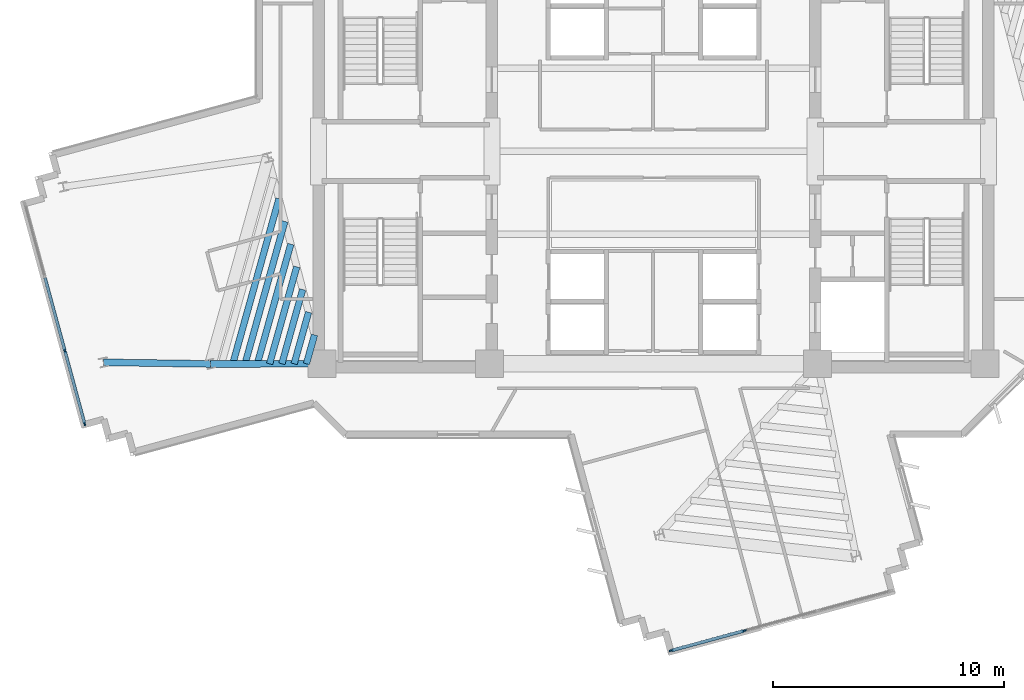
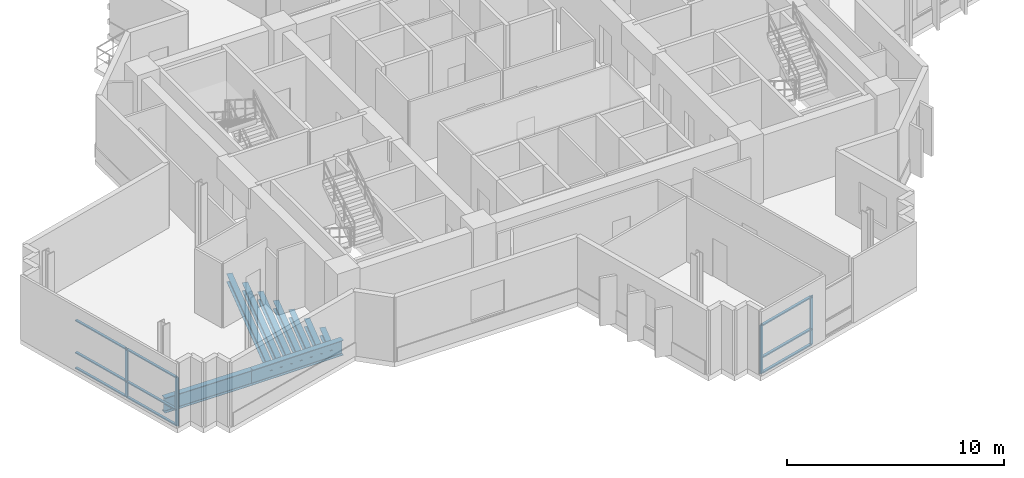
# One storey, part 2 of 15: 13 members, 9 beams, 2 elements without a shape of their own.
"""IFC4 building model written with IfcOpenShell, lengths in metres."""

from ifc_helpers import new_model, si_unit, direction, frame, origin, origin_2d, place, context, subcontext, project, spatial, rectangle, i_section, extrude, source, transform, mapped, material, layer, layer_set, material_profile, profile_set, type_object, element, aggregate, save


model = new_model("IFC4")

# Units and contexts
model_context = context("Model", 3, precision=1e-05, world=origin(), true_north=direction((0.0, 1.0)))
body_context = subcontext(model_context, "Body", "Model", "MODEL_VIEW")
ifc_project = project(units=[si_unit("LENGTHUNIT", "METRE"), si_unit("AREAUNIT", "SQUARE_METRE"), si_unit("VOLUMEUNIT", "CUBIC_METRE"), si_unit("PLANEANGLEUNIT", "RADIAN"), si_unit("MASSUNIT", "GRAM", prefix="KILO")], contexts=[model_context])

# Site, building, storey
site_placement = place(None, origin())
site = spatial("IfcSite", under=ifc_project, at=site_placement, CompositionType="ELEMENT")
building_placement = place(site_placement, origin())
building = spatial("IfcBuilding", under=site, at=building_placement, Name="Zahravan Cultural Tower", CompositionType="ELEMENT")
storey_placement = place(building_placement, frame((0.0, 0.0, 194.10009765625)))
storey = spatial("IfcBuildingStorey", under=building, at=storey_placement, Name="L45", CompositionType="ELEMENT", Elevation=194.10009765625)

# Beams
ifc_material_1 = material(Name="Steel ASTM A992 Grade 50", Category="steel")
ifc_material_profile_1 = material_profile(ifc_material_1, i_section(OverallWidth=0.29296875, OverallDepth=0.845947265625, WebThickness=0.015380859375, FlangeThickness=0.0244140625, FilletRadius=0.02001953125, at=origin_2d()), Name="W33X141")
ifc_profile_set_1 = profile_set([ifc_material_profile_1], Name="Steel ASTM A992 Grade 50")
beam_type_1 = type_object("IfcBeamType", Name="BM-G-W33X141", PredefinedType="BEAM", material=ifc_profile_set_1)
shared_shape_1 = source(origin(), body_context, "Body", "SweptSolid", [
    extrude(i_section(OverallWidth=0.29296875, OverallDepth=0.845947265625, WebThickness=0.015380859375, FlangeThickness=0.0244140625, FilletRadius=0.02001953125, at=origin_2d()), origin(), (0.0, 0.0, 1.0), 4.834716796875),
])
beam_1_placement = place(storey_placement, frame((21.64990234375, 17.800048828125, -0.703125), z_axis=(-0.99999920313, -0.001262433979, 0.0), x_axis=(0.001262433979, -0.99999920313, 0.0)))
element("IfcBeam", 1, at=beam_1_placement, inside=storey, type_object=beam_type_1, Name="L45 Beam BG-L45-08", PredefinedType="BEAM", context=body_context, shape_type="MappedRepresentation", body=[
    mapped(shared_shape_1, transform((0.0, 0.0, 0.0), x_axis=(1.0, 0.0, 0.0), y_axis=(0.0, 1.0, 0.0), z_axis=(0.0, 0.0, 1.0), scale=1.0)),
])
shared_shape_2 = source(origin(), body_context, "Body", "SweptSolid", [
    extrude(i_section(OverallWidth=0.29296875, OverallDepth=0.845947265625, WebThickness=0.015380859375, FlangeThickness=0.0244140625, FilletRadius=0.02001953125, at=origin_2d()), origin(), (0.0, 0.0, 1.0), 4.622314453125),
])
beam_2_placement = place(storey_placement, frame((16.815185546875, 17.7939453125, -0.703125), z_axis=(-0.999889070044, 0.014894549562, 0.0), x_axis=(-0.014894549562, -0.999889070044, 0.0)))
element("IfcBeam", 2, at=beam_2_placement, inside=storey, type_object=beam_type_1, Name="L45 Beam BG-L45-18", PredefinedType="BEAM", context=body_context, shape_type="MappedRepresentation", body=[
    mapped(shared_shape_2, transform((0.0, 0.0, 0.0), x_axis=(1.0, 0.0, 0.0), y_axis=(0.0, 1.0, 0.0), z_axis=(0.0, 0.0, 1.0), scale=1.0)),
])
ifc_material_profile_2 = material_profile(ifc_material_1, i_section(OverallWidth=0.280029296875, OverallDepth=0.462890625, WebThickness=0.0107421875, FlangeThickness=0.017333984375, FilletRadius=0.012939453125, at=origin_2d()), Name="W18X76")
ifc_profile_set_2 = profile_set([ifc_material_profile_2], Name="Steel ASTM A992 Grade 50")
beam_type_2 = type_object("IfcBeamType", Name="BM-J-W18X76", PredefinedType="JOIST", material=ifc_profile_set_2)
shared_shape_3 = source(origin(), body_context, "Body", "SweptSolid", [
    extrude(i_section(OverallWidth=0.280029296875, OverallDepth=0.462890625, WebThickness=0.0107421875, FlangeThickness=0.017333984375, FilletRadius=0.012939453125, at=origin_2d()), origin(), (0.0, 0.0, 1.0), 1.299072265625),
])
beam_3_placement = place(storey_placement, frame((21.3232421875, 19.050048828125, -0.51171875), z_axis=(-0.269504444708, -0.962999145525, 0.0), x_axis=(0.962999145525, -0.269504444708, 0.0)))
element("IfcBeam", 3, at=beam_3_placement, inside=storey, type_object=beam_type_2, Name="L45 Beam BJ-L45-26", PredefinedType="JOIST", context=body_context, shape_type="MappedRepresentation", body=[
    mapped(shared_shape_3, transform((0.0, 0.0, 0.0), x_axis=(1.0, 0.0, 0.0), y_axis=(0.0, 1.0, 0.0), z_axis=(0.0, 0.0, 1.0), scale=1.0)),
])
shared_shape_4 = source(origin(), body_context, "Body", "SweptSolid", [
    extrude(i_section(OverallWidth=0.280029296875, OverallDepth=0.462890625, WebThickness=0.0107421875, FlangeThickness=0.017333984375, FilletRadius=0.012939453125, at=origin_2d()), origin(), (0.0, 0.0, 1.0), 2.3193359375),
])
beam_4_placement = place(storey_placement, frame((21.06640625, 20.0322265625, -0.51171875), z_axis=(-0.269462038626, -0.963011012263, 0.0), x_axis=(0.963011012263, -0.269462038626, 0.0)))
element("IfcBeam", 4, at=beam_4_placement, inside=storey, type_object=beam_type_2, Name="L45 Beam BJ-L45-27", PredefinedType="JOIST", context=body_context, shape_type="MappedRepresentation", body=[
    mapped(shared_shape_4, transform((0.0, 0.0, 0.0), x_axis=(1.0, 0.0, 0.0), y_axis=(0.0, 1.0, 0.0), z_axis=(0.0, 0.0, 1.0), scale=1.0)),
])
shared_shape_5 = source(origin(), body_context, "Body", "SweptSolid", [
    extrude(i_section(OverallWidth=0.280029296875, OverallDepth=0.462890625, WebThickness=0.0107421875, FlangeThickness=0.017333984375, FilletRadius=0.012939453125, at=origin_2d()), origin(), (0.0, 0.0, 1.0), 3.340087890625),
])
beam_5_placement = place(storey_placement, frame((20.809814453125, 21.014404296875, -0.51171875), z_axis=(-0.269562146951, -0.962982995141, 0.0), x_axis=(0.962982995141, -0.269562146951, 0.0)))
element("IfcBeam", 5, at=beam_5_placement, inside=storey, type_object=beam_type_2, Name="L45 Beam BJ-L45-28", PredefinedType="JOIST", context=body_context, shape_type="MappedRepresentation", body=[
    mapped(shared_shape_5, transform((0.0, 0.0, 0.0), x_axis=(1.0, 0.0, 0.0), y_axis=(0.0, 1.0, 0.0), z_axis=(0.0, 0.0, 1.0), scale=1.0)),
])
shared_shape_6 = source(origin(), body_context, "Body", "SweptSolid", [
    extrude(i_section(OverallWidth=0.280029296875, OverallDepth=0.462890625, WebThickness=0.0107421875, FlangeThickness=0.017333984375, FilletRadius=0.012939453125, at=origin_2d()), origin(), (0.0, 0.0, 1.0), 4.36083984375),
])
beam_6_placement = place(storey_placement, frame((20.552978515625, 21.99658203125, -0.51171875), z_axis=(-0.269511557673, -0.962997154866, 0.0), x_axis=(0.962997154866, -0.269511557673, 0.0)))
element("IfcBeam", 6, at=beam_6_placement, inside=storey, type_object=beam_type_2, Name="L45 Beam BJ-L45-29", PredefinedType="JOIST", context=body_context, shape_type="MappedRepresentation", body=[
    mapped(shared_shape_6, transform((0.0, 0.0, 0.0), x_axis=(1.0, 0.0, 0.0), y_axis=(0.0, 1.0, 0.0), z_axis=(0.0, 0.0, 1.0), scale=1.0)),
])
shared_shape_7 = source(origin(), body_context, "Body", "SweptSolid", [
    extrude(i_section(OverallWidth=0.280029296875, OverallDepth=0.462890625, WebThickness=0.0107421875, FlangeThickness=0.017333984375, FilletRadius=0.012939453125, at=origin_2d()), origin(), (0.0, 0.0, 1.0), 5.3818359375),
])
beam_7_placement = place(storey_placement, frame((20.296142578125, 22.97900390625, -0.51171875), z_axis=(-0.269510454638, -0.962997463569, 0.0), x_axis=(0.962997463569, -0.269510454638, 0.0)))
element("IfcBeam", 7, at=beam_7_placement, inside=storey, type_object=beam_type_2, Name="L45 Beam BJ-L45-30", PredefinedType="JOIST", context=body_context, shape_type="MappedRepresentation", body=[
    mapped(shared_shape_7, transform((0.0, 0.0, 0.0), x_axis=(1.0, 0.0, 0.0), y_axis=(0.0, 1.0, 0.0), z_axis=(0.0, 0.0, 1.0), scale=1.0)),
])
shared_shape_8 = source(origin(), body_context, "Body", "SweptSolid", [
    extrude(i_section(OverallWidth=0.280029296875, OverallDepth=0.462890625, WebThickness=0.0107421875, FlangeThickness=0.017333984375, FilletRadius=0.012939453125, at=origin_2d()), origin(), (0.0, 0.0, 1.0), 6.402099609375),
])
beam_8_placement = place(storey_placement, frame((20.039306640625, 23.961181640625, -0.51171875), z_axis=(-0.269494133533, -0.963002031146, 0.0), x_axis=(0.963002031146, -0.269494133533, 0.0)))
element("IfcBeam", 8, at=beam_8_placement, inside=storey, type_object=beam_type_2, Name="L45 Beam BJ-L45-31", PredefinedType="JOIST", context=body_context, shape_type="MappedRepresentation", body=[
    mapped(shared_shape_8, transform((0.0, 0.0, 0.0), x_axis=(1.0, 0.0, 0.0), y_axis=(0.0, 1.0, 0.0), z_axis=(0.0, 0.0, 1.0), scale=1.0)),
])
shared_shape_9 = source(origin(), body_context, "Body", "SweptSolid", [
    extrude(i_section(OverallWidth=0.280029296875, OverallDepth=0.462890625, WebThickness=0.0107421875, FlangeThickness=0.017333984375, FilletRadius=0.012939453125, at=origin_2d()), origin(), (0.0, 0.0, 1.0), 7.4228515625),
])
beam_9_placement = place(storey_placement, frame((19.78271484375, 24.943359375, -0.51171875), z_axis=(-0.269504266128, -0.962999195503, 0.0), x_axis=(0.962999195503, -0.269504266128, 0.0)))
element("IfcBeam", 9, at=beam_9_placement, inside=storey, type_object=beam_type_2, Name="L45 Beam BJ-L45-32", PredefinedType="JOIST", context=body_context, shape_type="MappedRepresentation", body=[
    mapped(shared_shape_9, transform((0.0, 0.0, 0.0), x_axis=(1.0, 0.0, 0.0), y_axis=(0.0, 1.0, 0.0), z_axis=(0.0, 0.0, 1.0), scale=1.0)),
])

# Curtain wall, members
ifc_material_2 = material(Name="Anodised bronze-aluminium mullion", Category="aluminium")
ifc_layer_1 = layer(ifc_material_2, 0.179931640625)
ifc_layer_set_1 = layer_set([ifc_layer_1], Name="Anodised bronze-aluminium mullion")
curtain_wall_type_1 = type_object("IfcCurtainWallType", Name="CW-SYS-3", PredefinedType="USERDEFINED", material=ifc_layer_set_1)
curtain_wall_1_placement = place(storey_placement, origin())
curtain_wall_1 = element("IfcCurtainWall", 10, at=curtain_wall_1_placement, inside=storey, type_object=curtain_wall_type_1, Name="L45 Recessed Curtain Wall CW-3.1", ObjectType="RECESSED GLAZING", PredefinedType="USERDEFINED")
ifc_material_profile_3 = material_profile(ifc_material_2, rectangle(XDim=0.070068359375, YDim=0.179931640625, at=origin_2d()), Name="AL-M70X180")
ifc_profile_set_3 = profile_set([ifc_material_profile_3], Name="Anodised bronze-aluminium mullion")
member_type_1 = type_object("IfcMemberType", Name="CWM-CW-3", PredefinedType="MULLION", material=ifc_profile_set_3)
shared_shape_10 = source(origin(), body_context, "Body", "SweptSolid", [
    extrude(rectangle(XDim=0.070068359375, YDim=0.179931640625, at=origin_2d()), origin(), (0.0, 0.0, 1.0), 2.739990234375),
])
member_1_placement = place(storey_placement, frame((39.92626953125, 6.2431640625, 0.0), z_axis=(0.0, 0.0, 1.0), x_axis=(0.262186687636, -0.96501717126, 0.0)))
member_1 = element("IfcMember", 11, at=member_1_placement, type_object=member_type_1, Name="CW-3 mullion 3", PredefinedType="MULLION", context=body_context, shape_type="MappedRepresentation", body=[
    mapped(shared_shape_10, transform((0.0, 0.0, 0.0), x_axis=(1.0, 0.0, 0.0), y_axis=(0.0, 1.0, 0.0), z_axis=(0.0, 0.0, 1.0), scale=1.0)),
])
member_2_placement = place(storey_placement, frame((36.76904296875, 5.385498046875, 0.0), z_axis=(0.0, 0.0, 1.0), x_axis=(0.262186687636, -0.96501717126, 0.0)))
member_2 = element("IfcMember", 12, at=member_2_placement, type_object=member_type_1, Name="CW-3 mullion 4", PredefinedType="MULLION", context=body_context, shape_type="MappedRepresentation", body=[
    mapped(shared_shape_10, transform((0.0, 0.0, 0.0), x_axis=(1.0, 0.0, 0.0), y_axis=(0.0, 1.0, 0.0), z_axis=(0.0, 0.0, 1.0), scale=1.0)),
])
ifc_material_profile_4 = material_profile(ifc_material_2, rectangle(XDim=0.139892578125, YDim=0.070068359375, at=origin_2d()), Name="AL-T70X140")
ifc_profile_set_4 = profile_set([ifc_material_profile_4], Name="Anodised bronze-aluminium mullion")
member_type_2 = type_object("IfcMemberType", Name="CWT-CW-3", PredefinedType="USERDEFINED", material=ifc_profile_set_4)
shared_shape_11 = source(origin(), body_context, "Body", "SweptSolid", [
    extrude(rectangle(XDim=0.139892578125, YDim=0.070068359375, at=origin_2d()), origin(), (0.0, 0.0, 1.0), 3.20166015625),
])
member_3_placement = place(storey_placement, frame((39.892333984375, 6.234130859375, 0.034912109375), z_axis=(-0.965002744482, -0.262239781768, 0.0), x_axis=(0.262239781768, -0.965002744482, 0.0)))
member_3 = element("IfcMember", 13, at=member_3_placement, type_object=member_type_2, Name="CW-3 transom 3.1", ObjectType="TRANSOM", PredefinedType="USERDEFINED", context=body_context, shape_type="MappedRepresentation", body=[
    mapped(shared_shape_11, transform((0.0, 0.0, 0.0), x_axis=(1.0, 0.0, 0.0), y_axis=(0.0, 1.0, 0.0), z_axis=(0.0, 0.0, 1.0), scale=1.0)),
])
member_4_placement = place(storey_placement, frame((39.892333984375, 6.234130859375, 0.89990234375), z_axis=(-0.965002744482, -0.262239781768, 0.0), x_axis=(0.262239781768, -0.965002744482, 0.0)))
member_4 = element("IfcMember", 14, at=member_4_placement, type_object=member_type_2, Name="CW-3 transom 3.2", ObjectType="TRANSOM", PredefinedType="USERDEFINED", context=body_context, shape_type="MappedRepresentation", body=[
    mapped(shared_shape_11, transform((0.0, 0.0, 0.0), x_axis=(1.0, 0.0, 0.0), y_axis=(0.0, 1.0, 0.0), z_axis=(0.0, 0.0, 1.0), scale=1.0)),
])
member_5_placement = place(storey_placement, frame((39.892333984375, 6.234130859375, 2.704833984375), z_axis=(-0.965002744482, -0.262239781768, 0.0), x_axis=(0.262239781768, -0.965002744482, 0.0)))
member_5 = element("IfcMember", 15, at=member_5_placement, type_object=member_type_2, Name="CW-3 transom 3.3", ObjectType="TRANSOM", PredefinedType="USERDEFINED", context=body_context, shape_type="MappedRepresentation", body=[
    mapped(shared_shape_11, transform((0.0, 0.0, 0.0), x_axis=(1.0, 0.0, 0.0), y_axis=(0.0, 1.0, 0.0), z_axis=(0.0, 0.0, 1.0), scale=1.0)),
])
aggregate(curtain_wall_1, [member_1, member_2, member_3, member_4, member_5])

ifc_layer_2 = layer(ifc_material_2, 0.1650390625)
ifc_layer_set_2 = layer_set([ifc_layer_2], Name="Anodised bronze-aluminium mullion")
curtain_wall_type_2 = type_object("IfcCurtainWallType", Name="CW-SYS-4", PredefinedType="USERDEFINED", material=ifc_layer_set_2)
curtain_wall_2_placement = place(storey_placement, origin())
curtain_wall_2 = element("IfcCurtainWall", 16, at=curtain_wall_2_placement, inside=storey, type_object=curtain_wall_type_2, Name="L45 Recessed Curtain Wall CW-4.2", ObjectType="RECESSED GLAZING", PredefinedType="USERDEFINED")
ifc_material_profile_5 = material_profile(ifc_material_2, rectangle(XDim=0.06494140625, YDim=0.1650390625, at=origin_2d()), Name="AL-M65X165")
ifc_profile_set_5 = profile_set([ifc_material_profile_5], Name="Anodised bronze-aluminium mullion")
member_type_3 = type_object("IfcMemberType", Name="CWM-CW-4", PredefinedType="MULLION", material=ifc_profile_set_5)
shared_shape_12 = source(origin(), body_context, "Body", "SweptSolid", [
    extrude(rectangle(XDim=0.06494140625, YDim=0.1650390625, at=origin_2d()), origin(), (0.0, 0.0, 1.0), 2.739990234375),
])
member_6_placement = place(storey_placement, frame((11.37158203125, 15.202392578125, 0.0), z_axis=(0.0, 0.0, 1.0), x_axis=(-0.96501717126, -0.262186687636, 0.0)))
member_6 = element("IfcMember", 17, at=member_6_placement, type_object=member_type_3, Name="CW-4 mullion 1", PredefinedType="MULLION", context=body_context, shape_type="MappedRepresentation", body=[
    mapped(shared_shape_12, transform((0.0, 0.0, 0.0), x_axis=(1.0, 0.0, 0.0), y_axis=(0.0, 1.0, 0.0), z_axis=(0.0, 0.0, 1.0), scale=1.0)),
])
member_7_placement = place(storey_placement, frame((10.51318359375, 18.362060546875, 0.0), z_axis=(0.0, 0.0, 1.0), x_axis=(-0.96501717126, -0.262186687636, 0.0)))
member_7 = element("IfcMember", 18, at=member_7_placement, type_object=member_type_3, Name="CW-4 mullion 2", PredefinedType="MULLION", context=body_context, shape_type="MappedRepresentation", body=[
    mapped(shared_shape_12, transform((0.0, 0.0, 0.0), x_axis=(1.0, 0.0, 0.0), y_axis=(0.0, 1.0, 0.0), z_axis=(0.0, 0.0, 1.0), scale=1.0)),
])
ifc_material_profile_6 = material_profile(ifc_material_2, rectangle(XDim=0.1298828125, YDim=0.06494140625, at=origin_2d()), Name="AL-T65X130")
ifc_profile_set_6 = profile_set([ifc_material_profile_6], Name="Anodised bronze-aluminium mullion")
member_type_4 = type_object("IfcMemberType", Name="CWT-CW-4", PredefinedType="USERDEFINED", material=ifc_profile_set_6)
shared_shape_13 = source(origin(), body_context, "Body", "SweptSolid", [
    extrude(rectangle(XDim=0.1298828125, YDim=0.06494140625, at=origin_2d()), origin(), (0.0, 0.0, 1.0), 3.209228515625),
])
member_8_placement = place(storey_placement, frame((11.363037109375, 15.23388671875, 0.032470703125), z_axis=(-0.262158132098, 0.965024929095, 0.0), x_axis=(-0.965024929095, -0.262158132098, 0.0)))
member_8 = element("IfcMember", 19, at=member_8_placement, type_object=member_type_4, Name="CW-4 transom 1.1", ObjectType="TRANSOM", PredefinedType="USERDEFINED", context=body_context, shape_type="MappedRepresentation", body=[
    mapped(shared_shape_13, transform((0.0, 0.0, 0.0), x_axis=(1.0, 0.0, 0.0), y_axis=(0.0, 1.0, 0.0), z_axis=(0.0, 0.0, 1.0), scale=1.0)),
])
member_9_placement = place(storey_placement, frame((11.363037109375, 15.23388671875, 0.89990234375), z_axis=(-0.262158132098, 0.965024929095, 0.0), x_axis=(-0.965024929095, -0.262158132098, 0.0)))
member_9 = element("IfcMember", 20, at=member_9_placement, type_object=member_type_4, Name="CW-4 transom 1.2", ObjectType="TRANSOM", PredefinedType="USERDEFINED", context=body_context, shape_type="MappedRepresentation", body=[
    mapped(shared_shape_13, transform((0.0, 0.0, 0.0), x_axis=(1.0, 0.0, 0.0), y_axis=(0.0, 1.0, 0.0), z_axis=(0.0, 0.0, 1.0), scale=1.0)),
])
member_10_placement = place(storey_placement, frame((11.363037109375, 15.23388671875, 2.70751953125), z_axis=(-0.262158132098, 0.965024929095, 0.0), x_axis=(-0.965024929095, -0.262158132098, 0.0)))
member_10 = element("IfcMember", 21, at=member_10_placement, type_object=member_type_4, Name="CW-4 transom 1.3", ObjectType="TRANSOM", PredefinedType="USERDEFINED", context=body_context, shape_type="MappedRepresentation", body=[
    mapped(shared_shape_13, transform((0.0, 0.0, 0.0), x_axis=(1.0, 0.0, 0.0), y_axis=(0.0, 1.0, 0.0), z_axis=(0.0, 0.0, 1.0), scale=1.0)),
])
shared_shape_14 = source(origin(), body_context, "Body", "SweptSolid", [
    extrude(rectangle(XDim=0.1298828125, YDim=0.06494140625, at=origin_2d()), origin(), (0.0, 0.0, 1.0), 3.241455078125),
])
member_11_placement = place(storey_placement, frame((10.504638671875, 18.3935546875, 0.032470703125), z_axis=(-0.262174095232, 0.965020592417, 0.0), x_axis=(-0.965020592417, -0.262174095232, 0.0)))
member_11 = element("IfcMember", 22, at=member_11_placement, type_object=member_type_4, Name="CW-4 transom 2.1", ObjectType="TRANSOM", PredefinedType="USERDEFINED", context=body_context, shape_type="MappedRepresentation", body=[
    mapped(shared_shape_14, transform((0.0, 0.0, 0.0), x_axis=(1.0, 0.0, 0.0), y_axis=(0.0, 1.0, 0.0), z_axis=(0.0, 0.0, 1.0), scale=1.0)),
])
member_12_placement = place(storey_placement, frame((10.504638671875, 18.3935546875, 0.89990234375), z_axis=(-0.262174095232, 0.965020592417, 0.0), x_axis=(-0.965020592417, -0.262174095232, 0.0)))
member_12 = element("IfcMember", 23, at=member_12_placement, type_object=member_type_4, Name="CW-4 transom 2.2", ObjectType="TRANSOM", PredefinedType="USERDEFINED", context=body_context, shape_type="MappedRepresentation", body=[
    mapped(shared_shape_14, transform((0.0, 0.0, 0.0), x_axis=(1.0, 0.0, 0.0), y_axis=(0.0, 1.0, 0.0), z_axis=(0.0, 0.0, 1.0), scale=1.0)),
])
member_13_placement = place(storey_placement, frame((10.504638671875, 18.3935546875, 2.70751953125), z_axis=(-0.262174095232, 0.965020592417, 0.0), x_axis=(-0.965020592417, -0.262174095232, 0.0)))
member_13 = element("IfcMember", 24, at=member_13_placement, type_object=member_type_4, Name="CW-4 transom 2.3", ObjectType="TRANSOM", PredefinedType="USERDEFINED", context=body_context, shape_type="MappedRepresentation", body=[
    mapped(shared_shape_14, transform((0.0, 0.0, 0.0), x_axis=(1.0, 0.0, 0.0), y_axis=(0.0, 1.0, 0.0), z_axis=(0.0, 0.0, 1.0), scale=1.0)),
])
aggregate(curtain_wall_2, [member_6, member_7, member_8, member_9, member_10, member_11, member_12, member_13])

save(model, "model.ifc")
